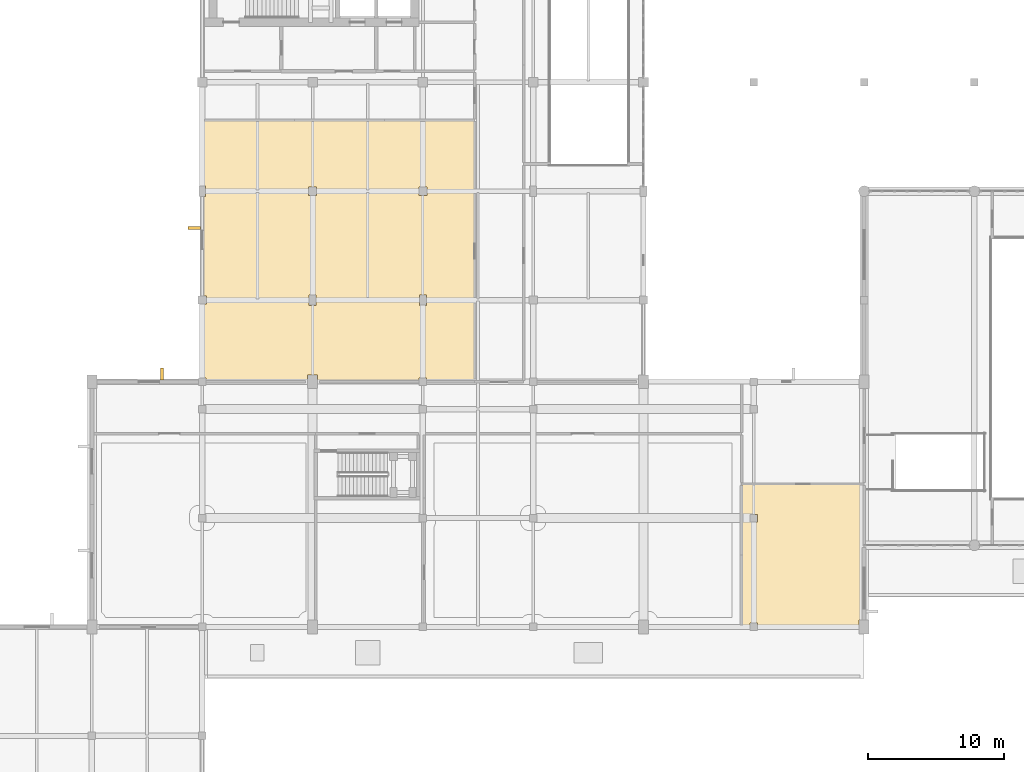
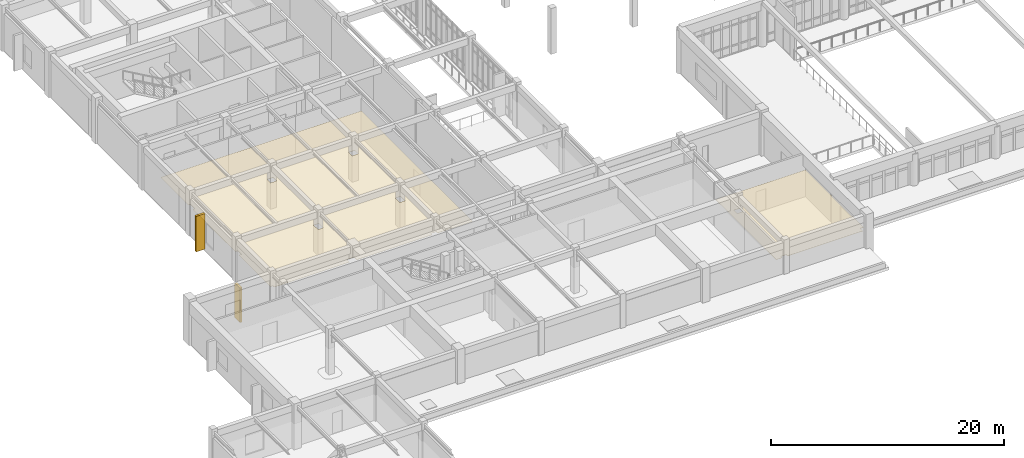
# One storey, part 53 of 61: 2 coverings, 2 shading devices.
"""IFC4 building model written with IfcOpenShell, lengths in metres."""

import ifcopenshell
import ifcopenshell.guid

model = None  # the IFC model being written
_history = None  # IfcOwnerHistory: only IFC2X3 demands one
_inside = {}  # id of a spatial element -> (the spatial element, [elements in it])
_under = {}  # id of a project, library or spatial element -> (it, [spatial elements below it])
_declared = {}  # id of a project -> (the project, [libraries it declares])
_typed = {}  # id of a type object -> (the type object, [elements of that type])
_made_of = {}  # id of a material, layer set ... -> (it, [elements and type objects made of it])


def new_model(schema):
    """Start an empty IFC model of exactly this schema.

    Asked for "IFC4X3", IfcOpenShell would pick the latest addendum, in which some entities
    have other attributes; the version numbers below select the first issue.
    IFC2X3 requires an IfcOwnerHistory on every rooted entity: one is made here for all.
    """
    global model, _history
    if schema == "IFC4X3":
        model = ifcopenshell.file(schema_version=(4, 3, 0, 0))
    else:
        model = ifcopenshell.file(schema=schema)
    _inside.clear()
    _under.clear()
    _declared.clear()
    _typed.clear()
    _made_of.clear()
    _history = None
    if model.schema == "IFC2X3":
        org = make("IfcOrganization", Name="unknown")
        user = make(
            "IfcPersonAndOrganization",
            ThePerson=make("IfcPerson", FamilyName="unknown"),
            TheOrganization=org,
        )
        app = make(
            "IfcApplication",
            ApplicationDeveloper=org,
            Version="unknown",
            ApplicationFullName="unknown",
            ApplicationIdentifier="unknown",
        )
        _history = make(
            "IfcOwnerHistory",
            OwningUser=user,
            OwningApplication=app,
            ChangeAction="ADDED",
            CreationDate=0,
        )
    return model


def make(cls, **values):
    """One entity of the class cls with the attributes given. An attribute that is None is left unset."""
    return model.create_entity(
        cls, **{name: value for name, value in values.items() if value is not None}
    )


def rooted(cls, **values):
    """An entity with a GlobalId (a new one), such as an element, a storey or a relation."""
    return make(cls, GlobalId=ifcopenshell.guid.new(), OwnerHistory=_history, **values)


def si_unit(unit_type, name, prefix=None):
    """IfcSIUnit, for example si_unit("LENGTHUNIT", "METRE", prefix="MILLI")."""
    return make("IfcSIUnit", UnitType=unit_type, Prefix=prefix, Name=name)


def assignment(units):
    """IfcUnitAssignment: the units of a project."""
    return None if units is None else make("IfcUnitAssignment", Units=units)


def point(xyz):
    """IfcCartesianPoint."""
    return None if xyz is None else make("IfcCartesianPoint", Coordinates=xyz)


def direction(xyz):
    """IfcDirection."""
    return None if xyz is None else make("IfcDirection", DirectionRatios=xyz)


def frame(location, z_axis=None, x_axis=None):
    """IfcAxis2Placement3D, a coordinate frame: its origin and axes. An axis left out is left unset."""
    return make(
        "IfcAxis2Placement3D",
        Location=point(location),
        Axis=direction(z_axis),
        RefDirection=direction(x_axis),
    )


def frame_2d(location, x_axis=None):
    """IfcAxis2Placement2D, a coordinate frame in the plane: its origin and x axis."""
    return make(
        "IfcAxis2Placement2D", Location=point(location), RefDirection=direction(x_axis)
    )


def origin():
    """The frame at (0, 0, 0) with its axes left unset."""
    return frame((0.0, 0.0, 0.0))


def origin_2d():
    """The frame at (0, 0) in the plane with its x axis left unset."""
    return frame_2d((0.0, 0.0))


def place(relative_to, where):
    """IfcLocalPlacement: puts the frame where relative to a parent placement (None: the world)."""
    return make(
        "IfcLocalPlacement", PlacementRelTo=relative_to, RelativePlacement=where
    )


def context(
    kind, dimensions, precision=None, world=None, true_north=None, identifier=None
):
    """IfcGeometricRepresentationContext, for example the 3D "Model" context."""
    return make(
        "IfcGeometricRepresentationContext",
        ContextIdentifier=identifier,
        ContextType=kind,
        CoordinateSpaceDimension=dimensions,
        Precision=precision,
        WorldCoordinateSystem=world,
        TrueNorth=true_north,
    )


def subcontext(parent, identifier, kind, view, scale=None):
    """IfcGeometricRepresentationSubContext, for example "Body" below "Model"."""
    return make(
        "IfcGeometricRepresentationSubContext",
        ContextIdentifier=identifier,
        ContextType=kind,
        ParentContext=parent,
        TargetScale=scale,
        TargetView=view,
    )


def project(units=None, contexts=None):
    """IfcProject with its units and contexts."""
    return rooted(
        "IfcProject",
        Name="project",
        RepresentationContexts=contexts,
        UnitsInContext=assignment(units),
    )


def spatial(cls, under=None, at=None, **own):
    """A site, building, storey or space (cls), placed at a placement, below another one or the project."""
    s = rooted(cls, ObjectPlacement=at, **own)
    if under is not None:
        _under.setdefault(under.id(), (under, []))[1].append(s)
    return s


def polyline(points):
    """IfcPolyline through the points."""
    return make("IfcPolyline", Points=[point(p) for p in points])


def profile(cls, at=None, kind="AREA", **sizes):
    """A parametric profile (cls). Its sizes go by their IFC names, for example OverallWidth=200.0."""
    return make(cls, ProfileType=kind, Position=at, **sizes)


def rectangle(**sizes):
    """IfcRectangleProfileDef."""
    return profile("IfcRectangleProfileDef", **sizes)


def outline(outer, holes=None, kind="AREA"):
    """IfcArbitraryClosedProfileDef: a profile drawn as a closed curve; with holes, ...WithVoids."""
    if holes is None:
        return make("IfcArbitraryClosedProfileDef", ProfileType=kind, OuterCurve=outer)
    return make(
        "IfcArbitraryProfileDefWithVoids",
        ProfileType=kind,
        OuterCurve=outer,
        InnerCurves=holes,
    )


def extrude(swept, where, along, depth):
    """IfcExtrudedAreaSolid: the profile swept, set in the frame where, extruded along a direction by depth."""
    return make(
        "IfcExtrudedAreaSolid",
        SweptArea=swept,
        Position=where,
        ExtrudedDirection=direction(along),
        Depth=depth,
    )


def shape(context_of_items, identifier, shape_type, items):
    """IfcShapeRepresentation: the items that make up one representation, for example the "Body"."""
    return make(
        "IfcShapeRepresentation",
        ContextOfItems=context_of_items,
        RepresentationIdentifier=identifier,
        RepresentationType=shape_type,
        Items=items,
    )


def material(Name=None, Category=None):
    """IfcMaterial."""
    return make("IfcMaterial", Name=Name, Category=Category)


def layer(
    of_material, thickness, ventilated=None, Name=None, Category=None, Priority=None
):
    """IfcMaterialLayer: one layer of a wall or slab, of a material (None: an air gap)."""
    return make(
        "IfcMaterialLayer",
        Material=of_material,
        LayerThickness=thickness,
        IsVentilated=ventilated,
        Name=Name,
        Category=Category,
        Priority=Priority,
    )


def layer_set(layers, Name=None):
    """IfcMaterialLayerSet."""
    return make("IfcMaterialLayerSet", MaterialLayers=layers, LayerSetName=Name)


def material_profile(
    of_material, cross_section, Name=None, Category=None, Priority=None
):
    """IfcMaterialProfile: a cross section and its material."""
    return make(
        "IfcMaterialProfile",
        Name=Name,
        Material=of_material,
        Profile=cross_section,
        Priority=Priority,
        Category=Category,
    )


def profile_set(profiles, Name=None, composite=None):
    """IfcMaterialProfileSet."""
    return make(
        "IfcMaterialProfileSet",
        Name=Name,
        MaterialProfiles=profiles,
        CompositeProfile=composite,
    )


def made_of(thing, what):
    """Note that an element or type object is made of a material, layer set ...; save() writes the relation."""
    if what is not None:
        _made_of.setdefault(what.id(), (what, []))[1].append(thing)
    return thing


def type_object(cls, material=None, **own):
    """A type object (cls), such as IfcWallType, which elements share."""
    return made_of(rooted(cls, **own), material)


def element(
    cls,
    number,
    at=None,
    inside=None,
    cuts=None,
    type_object=None,
    material=None,
    context=None,
    identifier="Body",
    shape_type=None,
    held_by="IfcProductDefinitionShape",
    body=None,
    shapes=None,
    **own,
):
    """One element of the class cls, such as IfcWall. Its Tag is "e" and its number.

    at: its placement. inside: the storey or other place that contains it. cuts: it is an
    opening in that element (IfcRelVoidsElement). A single representation is given by context,
    identifier, shape_type and body (its items); several are given by shapes. held_by: the class
    of the entity that holds the representations. save() writes the other relations.
    """
    e = rooted(cls, Tag="e%d" % number, ObjectPlacement=at, **own)
    if body is not None:
        shapes = [shape(context, identifier, shape_type, body)]
    if shapes is not None:
        e.Representation = make(held_by, Representations=shapes)
    if inside is not None:
        _inside.setdefault(inside.id(), (inside, []))[1].append(e)
    if cuts is not None:
        rooted(
            "IfcRelVoidsElement", RelatingBuildingElement=cuts, RelatedOpeningElement=e
        )
    if type_object is not None:
        _typed.setdefault(type_object.id(), (type_object, []))[1].append(e)
    return made_of(e, material)


def aggregate(whole, parts):
    """IfcRelAggregates: a whole, such as a stair, and the parts it consists of."""
    return rooted("IfcRelAggregates", RelatingObject=whole, RelatedObjects=parts)


def save(model, path):
    """Write the relations noted so far, then the file.

    IfcRelAggregates (storeys below a building ...), IfcRelContainedInSpatialStructure (elements
    in a storey), IfcRelDefinesByType, IfcRelAssociatesMaterial and IfcRelDeclares: one each for
    every whole, place, type object, material and project.
    """
    for whole, parts in _under.values():
        aggregate(whole, parts)
    for where, things in _inside.values():
        rooted(
            "IfcRelContainedInSpatialStructure",
            RelatedElements=things,
            RelatingStructure=where,
        )
    for kind, things in _typed.values():
        rooted("IfcRelDefinesByType", RelatedObjects=things, RelatingType=kind)
    for what, things in _made_of.values():
        rooted("IfcRelAssociatesMaterial", RelatedObjects=things, RelatingMaterial=what)
    for by, libraries in _declared.values():
        rooted("IfcRelDeclares", RelatingContext=by, RelatedDefinitions=libraries)
    model.write(path)


model = new_model("IFC4")

# Units and contexts
model_context = context("Model", 3, precision=1e-05, world=origin(), true_north=direction((0.0, 1.0)))
body_context = subcontext(model_context, "Body", "Model", "MODEL_VIEW")
ifc_project = project(units=[si_unit("LENGTHUNIT", "METRE"), si_unit("AREAUNIT", "SQUARE_METRE"), si_unit("VOLUMEUNIT", "CUBIC_METRE"), si_unit("PLANEANGLEUNIT", "RADIAN"), si_unit("MASSUNIT", "GRAM", prefix="KILO")], contexts=[model_context])

# Site, building, storey
site_placement = place(None, origin())
site = spatial("IfcSite", under=ifc_project, at=site_placement, CompositionType="ELEMENT")
building_placement = place(site_placement, origin())
building = spatial("IfcBuilding", under=site, at=building_placement, Name="Tarnveldt Square Police Headquarters", CompositionType="ELEMENT")
storey_placement = place(building_placement, frame((0.0, 0.0, 5.39990234375)))
storey = spatial("IfcBuildingStorey", under=building, at=storey_placement, Name="L01", CompositionType="ELEMENT", Elevation=5.39990234375)

# Coverings
ifc_material_1 = material(Name="Mineral-fibre acoustic ceiling tile", Category="gypsum")
ifc_layer = layer(ifc_material_1, 0.02001953125)
ifc_layer_set = layer_set([ifc_layer], Name="Mineral-fibre acoustic ceiling tile")
covering_type = type_object("IfcCoveringType", Name="COV-CEIL-20", PredefinedType="CEILING", material=ifc_layer_set)
covering_1_placement = place(storey_placement, frame((0.0, 0.0, 2.75)))
element("IfcCovering", 1, at=covering_1_placement, inside=storey, type_object=covering_type, Name="Community Assembly Support Room Acoustic Ceiling", PredefinedType="CEILING", context=body_context, shape_type="SweptSolid", body=[
    extrude(outline(polyline([(55.85009765625, 16.050048828125), (55.85009765625, 26.449951171875), (64.75, 26.449951171875), (64.75, 16.501953125), (64.423095703125, 16.501953125), (64.423095703125, 16.050048828125), (56.97705078125, 16.050048828125), (56.97705078125, 16.277099609375), (56.423095703125, 16.277099609375), (56.423095703125, 16.050048828125), (55.85009765625, 16.050048828125)]), holes=[polyline([(56.423095703125, 24.277099609375), (56.423095703125, 23.722900390625), (56.97705078125, 23.722900390625), (56.97705078125, 24.277099609375), (56.423095703125, 24.277099609375)])]), origin(), (0.0, 0.0, 1.0), 0.02001953125),
])
covering_2_placement = place(storey_placement, frame((0.0, 0.0, 2.75)))
element("IfcCovering", 2, at=covering_2_placement, inside=storey, type_object=covering_type, Name="Traffic Services Operations Bureau Acoustic Ceiling", PredefinedType="CEILING", context=body_context, shape_type="SweptSolid", body=[
    extrude(outline(polyline([(16.25, 53.14990234375), (36.14990234375, 53.14990234375), (36.14990234375, 34.050048828125), (32.677001953125, 34.050048828125), (32.677001953125, 34.277099609375), (32.123046875, 34.277099609375), (32.123046875, 34.050048828125), (24.677001953125, 34.050048828125), (24.677001953125, 34.501953125), (23.923095703125, 34.501953125), (23.923095703125, 34.050048828125), (16.47705078125, 34.050048828125), (16.47705078125, 34.277099609375), (16.25, 34.277099609375), (16.25, 39.697998046875), (16.501953125, 39.697998046875), (16.501953125, 40.302001953125), (16.25, 40.302001953125), (16.25, 47.623046875), (16.451904296875, 47.623046875), (16.451904296875, 48.376953125), (16.25, 48.376953125), (16.25, 53.14990234375)]), holes=[polyline([(32.701904296875, 48.302001953125), (32.097900390625, 48.302001953125), (32.097900390625, 47.697998046875), (32.701904296875, 47.697998046875), (32.701904296875, 48.302001953125)]), polyline([(32.652099609375, 40.376953125), (32.14794921875, 40.376953125), (32.14794921875, 39.623046875), (32.652099609375, 39.623046875), (32.652099609375, 40.376953125)]), polyline([(23.998046875, 48.302001953125), (23.998046875, 47.697998046875), (24.60205078125, 47.697998046875), (24.60205078125, 48.302001953125), (23.998046875, 48.302001953125)]), polyline([(24.048095703125, 40.376953125), (24.048095703125, 39.623046875), (24.552001953125, 39.623046875), (24.552001953125, 40.376953125), (24.048095703125, 40.376953125)])]), origin(), (0.0, 0.0, 1.0), 0.02001953125),
])

# Shading devices
ifc_material_2 = material(Name="Precast concrete 35 MPa", Category="concrete")
ifc_material_profile = material_profile(ifc_material_2, rectangle(XDim=0.219970703125, YDim=0.89990234375, at=origin_2d()), Name="PC-FIN220x900")
ifc_profile_set = profile_set([ifc_material_profile], Name="Precast concrete 35 MPa")
shading_device_type = type_object("IfcShadingDeviceType", Name="SHD-FIN-900", PredefinedType="USERDEFINED", material=ifc_profile_set)
shading_device_1_placement = place(storey_placement, frame((15.6201171875, 45.300048828125, 0.150146484375), z_axis=(0.0, 0.0, 1.0), x_axis=(0.0, -1.0, 0.0)))
element("IfcShadingDevice", 3, at=shading_device_1_placement, inside=storey, type_object=shading_device_type, Name="L01 Precast Deep-Reveal Brutalist Fin 013", ObjectType="SOLAR SHADING FIN", PredefinedType="USERDEFINED", context=body_context, shape_type="SweptSolid", body=[
    extrude(rectangle(XDim=0.219970703125, YDim=0.89990234375, at=origin_2d()), origin(), (0.0, 0.0, 1.0), 3.7119140625),
])
shading_device_2_placement = place(storey_placement, frame((13.25, 34.580078125, 0.150146484375), z_axis=(0.0, 0.0, 1.0), x_axis=(-1.0, 0.0, 0.0)))
element("IfcShadingDevice", 4, at=shading_device_2_placement, inside=storey, type_object=shading_device_type, Name="L01 Precast Deep-Reveal Brutalist Fin 014", ObjectType="SOLAR SHADING FIN", PredefinedType="USERDEFINED", context=body_context, shape_type="SweptSolid", body=[
    extrude(rectangle(XDim=0.219970703125, YDim=0.89990234375, at=origin_2d()), origin(), (0.0, 0.0, 1.0), 3.612060546875),
])

save(model, "model.ifc")
